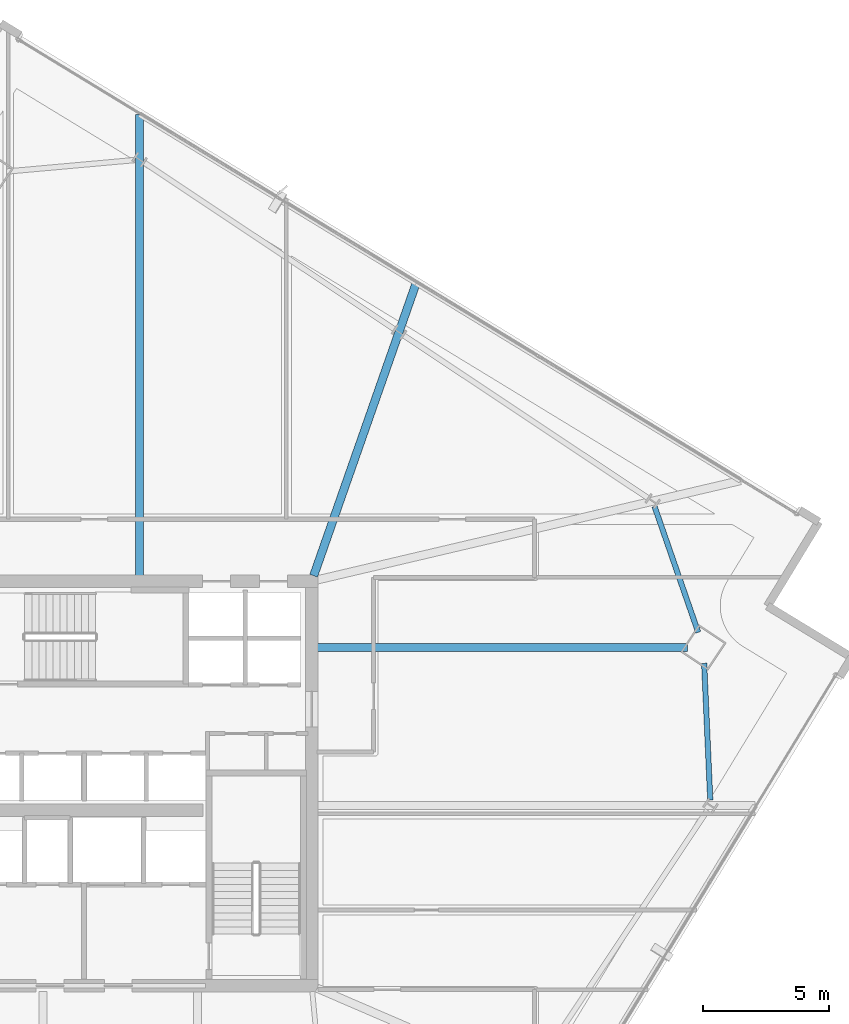
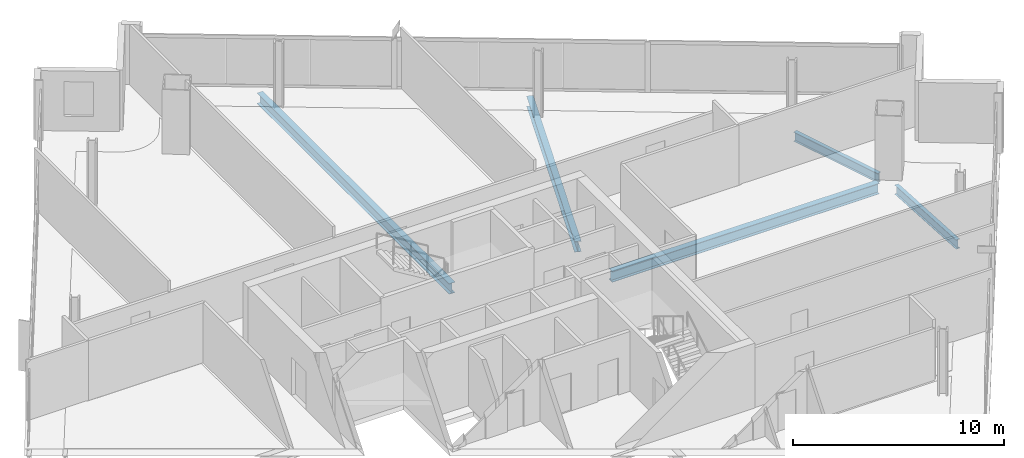
# One storey, part 16 of 28: 5 beams.
"""IFC4 building model written with IfcOpenShell, lengths in metres."""

from ifc_helpers import new_model, si_unit, direction, frame, origin, origin_2d, place, context, subcontext, project, spatial, i_section, extrude, material, material_profile, profile_set, type_object, element, save


model = new_model("IFC4")

# Units and contexts
model_context = context("Model", 3, precision=1e-05, world=origin(), true_north=direction((0.0, 1.0)))
body_context = subcontext(model_context, "Body", "Model", "MODEL_VIEW")
ifc_project = project(units=[si_unit("LENGTHUNIT", "METRE"), si_unit("AREAUNIT", "SQUARE_METRE"), si_unit("VOLUMEUNIT", "CUBIC_METRE"), si_unit("PLANEANGLEUNIT", "RADIAN"), si_unit("MASSUNIT", "GRAM", prefix="KILO")], contexts=[model_context])

# Site, building, storey
site_placement = place(None, origin())
site = spatial("IfcSite", under=ifc_project, at=site_placement, CompositionType="ELEMENT")
building_placement = place(site_placement, origin())
building = spatial("IfcBuilding", under=site, at=building_placement, Name="Haldenkirk Collegiate Tower", CompositionType="ELEMENT")
storey_placement = place(building_placement, frame((0.0, 0.0, 224.699951171875)))
storey = spatial("IfcBuildingStorey", under=building, at=storey_placement, Name="L56", CompositionType="ELEMENT", Elevation=224.699951171875)

# Beams
ifc_material = material(Name="Steel ASTM A992 Grade 50", Category="steel")
ifc_material_profile_1 = material_profile(ifc_material, i_section(OverallWidth=0.324951171875, OverallDepth=0.615966796875, WebThickness=0.013916015625, FlangeThickness=0.021484375, at=origin_2d()), Name="W24X117")
ifc_profile_set_1 = profile_set([ifc_material_profile_1], Name="Steel ASTM A992 Grade 50")
beam_type_1 = type_object("IfcBeamType", Name="BM-GIRDER-W24X117", PredefinedType="BEAM", material=ifc_profile_set_1)
beam_1_placement = place(storey_placement, frame((59.856201171875, 31.3837890625, -0.587890625), z_axis=(-1.0, 0.0, 0.0), x_axis=(0.0, -1.0, 0.0)))
element("IfcBeam", 1, at=beam_1_placement, inside=storey, type_object=beam_type_1, Name="L56 primary floor girder 02", PredefinedType="BEAM", context=body_context, shape_type="SweptSolid", body=[
    extrude(i_section(OverallWidth=0.324951171875, OverallDepth=0.615966796875, WebThickness=0.013916015625, FlangeThickness=0.021484375, at=origin_2d()), origin(), (0.0, 0.0, 1.0), 14.626220703125),
])
beam_2_placement = place(storey_placement, frame((49.129150390625, 45.788330078125, -0.587890625), z_axis=(-0.330588123066, -0.943775128348, 0.0), x_axis=(0.943775128348, -0.330588123066, 0.0)))
element("IfcBeam", 2, at=beam_2_placement, inside=storey, type_object=beam_type_1, Name="L56 primary floor girder 09", PredefinedType="BEAM", context=body_context, shape_type="SweptSolid", body=[
    extrude(i_section(OverallWidth=0.324951171875, OverallDepth=0.615966796875, WebThickness=0.013916015625, FlangeThickness=0.021484375, at=origin_2d()), origin(), (0.0, 0.0, 1.0), 12.2607421875),
])
beam_3_placement = place(storey_placement, frame((38.192626953125, 52.450927734375, -0.587890625), z_axis=(0.0, -1.0, 0.0), x_axis=(1.0, 0.0, 0.0)))
element("IfcBeam", 3, at=beam_3_placement, inside=storey, type_object=beam_type_1, Name="L56 primary floor girder 10", PredefinedType="BEAM", context=body_context, shape_type="SweptSolid", body=[
    extrude(i_section(OverallWidth=0.324951171875, OverallDepth=0.615966796875, WebThickness=0.013916015625, FlangeThickness=0.021484375, at=origin_2d()), origin(), (0.0, 0.0, 1.0), 18.220947265625),
])
ifc_material_profile_2 = material_profile(ifc_material, i_section(OverallWidth=0.2099609375, OverallDepth=0.537109375, WebThickness=0.010986328125, FlangeThickness=0.017333984375, at=origin_2d()), Name="W21X68")
ifc_profile_set_2 = profile_set([ifc_material_profile_2], Name="Steel ASTM A992 Grade 50")
beam_type_2 = type_object("IfcBeamType", Name="BM-SPANDREL-W21X68", PredefinedType="SPANDREL", material=ifc_profile_set_2)
beam_4_placement = place(storey_placement, frame((60.756103515625, 25.34326171875, -0.54833984375), z_axis=(-0.044622535616, 0.999003918569, 0.0), x_axis=(-0.999003918569, -0.044622535616, 0.0)))
element("IfcBeam", 4, at=beam_4_placement, inside=storey, type_object=beam_type_2, Name="L56 perimeter spandrel beam 04", PredefinedType="SPANDREL", context=body_context, shape_type="SweptSolid", body=[
    extrude(i_section(OverallWidth=0.2099609375, OverallDepth=0.537109375, WebThickness=0.010986328125, FlangeThickness=0.017333984375, at=origin_2d()), origin(), (0.0, 0.0, 1.0), 5.41650390625),
])
beam_5_placement = place(storey_placement, frame((60.27978515625, 31.97900390625, -0.54833984375), z_axis=(-0.327807295579, 0.944744609387, 0.0), x_axis=(-0.944744609387, -0.327807295579, 0.0)))
element("IfcBeam", 5, at=beam_5_placement, inside=storey, type_object=beam_type_2, Name="L56 perimeter spandrel beam 05", PredefinedType="SPANDREL", context=body_context, shape_type="SweptSolid", body=[
    extrude(i_section(OverallWidth=0.2099609375, OverallDepth=0.537109375, WebThickness=0.010986328125, FlangeThickness=0.017333984375, at=origin_2d()), origin(), (0.0, 0.0, 1.0), 5.270751953125),
])

save(model, "model.ifc")
